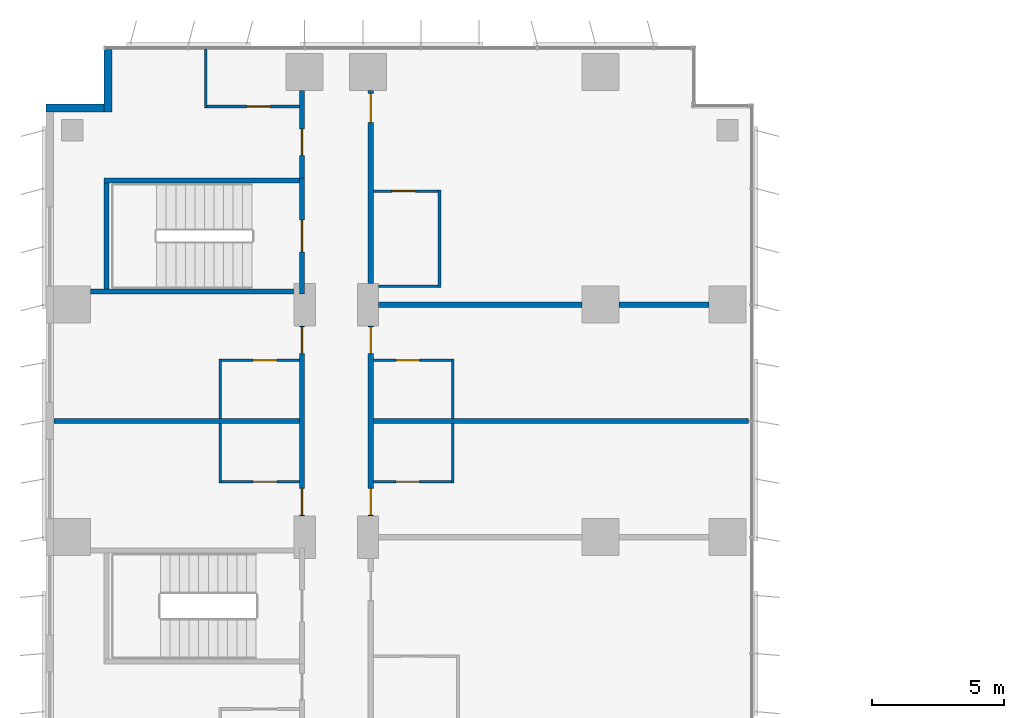
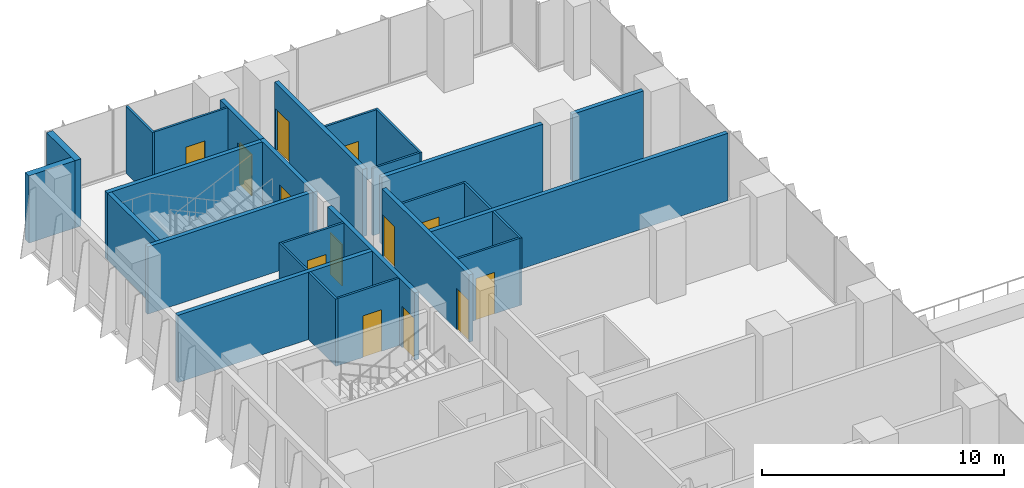
# One storey, part 17 of 23: 27 walls, 13 doors, 13 openings.
"""IFC4 building model written with IfcOpenShell, lengths in metres."""

import ifcopenshell
import ifcopenshell.guid

model = None  # the IFC model being written
_history = None  # IfcOwnerHistory: only IFC2X3 demands one
_inside = {}  # id of a spatial element -> (the spatial element, [elements in it])
_under = {}  # id of a project, library or spatial element -> (it, [spatial elements below it])
_declared = {}  # id of a project -> (the project, [libraries it declares])
_typed = {}  # id of a type object -> (the type object, [elements of that type])
_made_of = {}  # id of a material, layer set ... -> (it, [elements and type objects made of it])


def new_model(schema):
    """Start an empty IFC model of exactly this schema.

    Asked for "IFC4X3", IfcOpenShell would pick the latest addendum, in which some entities
    have other attributes; the version numbers below select the first issue.
    IFC2X3 requires an IfcOwnerHistory on every rooted entity: one is made here for all.
    """
    global model, _history
    if schema == "IFC4X3":
        model = ifcopenshell.file(schema_version=(4, 3, 0, 0))
    else:
        model = ifcopenshell.file(schema=schema)
    _inside.clear()
    _under.clear()
    _declared.clear()
    _typed.clear()
    _made_of.clear()
    _history = None
    if model.schema == "IFC2X3":
        org = make("IfcOrganization", Name="unknown")
        user = make(
            "IfcPersonAndOrganization",
            ThePerson=make("IfcPerson", FamilyName="unknown"),
            TheOrganization=org,
        )
        app = make(
            "IfcApplication",
            ApplicationDeveloper=org,
            Version="unknown",
            ApplicationFullName="unknown",
            ApplicationIdentifier="unknown",
        )
        _history = make(
            "IfcOwnerHistory",
            OwningUser=user,
            OwningApplication=app,
            ChangeAction="ADDED",
            CreationDate=0,
        )
    return model


def make(cls, **values):
    """One entity of the class cls with the attributes given. An attribute that is None is left unset."""
    return model.create_entity(
        cls, **{name: value for name, value in values.items() if value is not None}
    )


def rooted(cls, **values):
    """An entity with a GlobalId (a new one), such as an element, a storey or a relation."""
    return make(cls, GlobalId=ifcopenshell.guid.new(), OwnerHistory=_history, **values)


def si_unit(unit_type, name, prefix=None):
    """IfcSIUnit, for example si_unit("LENGTHUNIT", "METRE", prefix="MILLI")."""
    return make("IfcSIUnit", UnitType=unit_type, Prefix=prefix, Name=name)


def assignment(units):
    """IfcUnitAssignment: the units of a project."""
    return None if units is None else make("IfcUnitAssignment", Units=units)


def point(xyz):
    """IfcCartesianPoint."""
    return None if xyz is None else make("IfcCartesianPoint", Coordinates=xyz)


def direction(xyz):
    """IfcDirection."""
    return None if xyz is None else make("IfcDirection", DirectionRatios=xyz)


def frame(location, z_axis=None, x_axis=None):
    """IfcAxis2Placement3D, a coordinate frame: its origin and axes. An axis left out is left unset."""
    return make(
        "IfcAxis2Placement3D",
        Location=point(location),
        Axis=direction(z_axis),
        RefDirection=direction(x_axis),
    )


def frame_2d(location, x_axis=None):
    """IfcAxis2Placement2D, a coordinate frame in the plane: its origin and x axis."""
    return make(
        "IfcAxis2Placement2D", Location=point(location), RefDirection=direction(x_axis)
    )


def origin():
    """The frame at (0, 0, 0) with its axes left unset."""
    return frame((0.0, 0.0, 0.0))


def place(relative_to, where):
    """IfcLocalPlacement: puts the frame where relative to a parent placement (None: the world)."""
    return make(
        "IfcLocalPlacement", PlacementRelTo=relative_to, RelativePlacement=where
    )


def context(
    kind, dimensions, precision=None, world=None, true_north=None, identifier=None
):
    """IfcGeometricRepresentationContext, for example the 3D "Model" context."""
    return make(
        "IfcGeometricRepresentationContext",
        ContextIdentifier=identifier,
        ContextType=kind,
        CoordinateSpaceDimension=dimensions,
        Precision=precision,
        WorldCoordinateSystem=world,
        TrueNorth=true_north,
    )


def subcontext(parent, identifier, kind, view, scale=None):
    """IfcGeometricRepresentationSubContext, for example "Body" below "Model"."""
    return make(
        "IfcGeometricRepresentationSubContext",
        ContextIdentifier=identifier,
        ContextType=kind,
        ParentContext=parent,
        TargetScale=scale,
        TargetView=view,
    )


def project(units=None, contexts=None):
    """IfcProject with its units and contexts."""
    return rooted(
        "IfcProject",
        Name="project",
        RepresentationContexts=contexts,
        UnitsInContext=assignment(units),
    )


def spatial(cls, under=None, at=None, **own):
    """A site, building, storey or space (cls), placed at a placement, below another one or the project."""
    s = rooted(cls, ObjectPlacement=at, **own)
    if under is not None:
        _under.setdefault(under.id(), (under, []))[1].append(s)
    return s


def profile(cls, at=None, kind="AREA", **sizes):
    """A parametric profile (cls). Its sizes go by their IFC names, for example OverallWidth=200.0."""
    return make(cls, ProfileType=kind, Position=at, **sizes)


def rectangle(**sizes):
    """IfcRectangleProfileDef."""
    return profile("IfcRectangleProfileDef", **sizes)


def extrude(swept, where, along, depth):
    """IfcExtrudedAreaSolid: the profile swept, set in the frame where, extruded along a direction by depth."""
    return make(
        "IfcExtrudedAreaSolid",
        SweptArea=swept,
        Position=where,
        ExtrudedDirection=direction(along),
        Depth=depth,
    )


def shape(context_of_items, identifier, shape_type, items):
    """IfcShapeRepresentation: the items that make up one representation, for example the "Body"."""
    return make(
        "IfcShapeRepresentation",
        ContextOfItems=context_of_items,
        RepresentationIdentifier=identifier,
        RepresentationType=shape_type,
        Items=items,
    )


def material(Name=None, Category=None):
    """IfcMaterial."""
    return make("IfcMaterial", Name=Name, Category=Category)


def layer(
    of_material, thickness, ventilated=None, Name=None, Category=None, Priority=None
):
    """IfcMaterialLayer: one layer of a wall or slab, of a material (None: an air gap)."""
    return make(
        "IfcMaterialLayer",
        Material=of_material,
        LayerThickness=thickness,
        IsVentilated=ventilated,
        Name=Name,
        Category=Category,
        Priority=Priority,
    )


def layer_set(layers, Name=None):
    """IfcMaterialLayerSet."""
    return make("IfcMaterialLayerSet", MaterialLayers=layers, LayerSetName=Name)


def made_of(thing, what):
    """Note that an element or type object is made of a material, layer set ...; save() writes the relation."""
    if what is not None:
        _made_of.setdefault(what.id(), (what, []))[1].append(thing)
    return thing


def type_object(cls, material=None, **own):
    """A type object (cls), such as IfcWallType, which elements share."""
    return made_of(rooted(cls, **own), material)


def element(
    cls,
    number,
    at=None,
    inside=None,
    cuts=None,
    type_object=None,
    material=None,
    context=None,
    identifier="Body",
    shape_type=None,
    held_by="IfcProductDefinitionShape",
    body=None,
    shapes=None,
    **own,
):
    """One element of the class cls, such as IfcWall. Its Tag is "e" and its number.

    at: its placement. inside: the storey or other place that contains it. cuts: it is an
    opening in that element (IfcRelVoidsElement). A single representation is given by context,
    identifier, shape_type and body (its items); several are given by shapes. held_by: the class
    of the entity that holds the representations. save() writes the other relations.
    """
    e = rooted(cls, Tag="e%d" % number, ObjectPlacement=at, **own)
    if body is not None:
        shapes = [shape(context, identifier, shape_type, body)]
    if shapes is not None:
        e.Representation = make(held_by, Representations=shapes)
    if inside is not None:
        _inside.setdefault(inside.id(), (inside, []))[1].append(e)
    if cuts is not None:
        rooted(
            "IfcRelVoidsElement", RelatingBuildingElement=cuts, RelatedOpeningElement=e
        )
    if type_object is not None:
        _typed.setdefault(type_object.id(), (type_object, []))[1].append(e)
    return made_of(e, material)


def fill(opening, filler):
    """IfcRelFillsElement: the door or window that sits in an opening."""
    return rooted(
        "IfcRelFillsElement",
        RelatingOpeningElement=opening,
        RelatedBuildingElement=filler,
    )


def aggregate(whole, parts):
    """IfcRelAggregates: a whole, such as a stair, and the parts it consists of."""
    return rooted("IfcRelAggregates", RelatingObject=whole, RelatedObjects=parts)


def save(model, path):
    """Write the relations noted so far, then the file.

    IfcRelAggregates (storeys below a building ...), IfcRelContainedInSpatialStructure (elements
    in a storey), IfcRelDefinesByType, IfcRelAssociatesMaterial and IfcRelDeclares: one each for
    every whole, place, type object, material and project.
    """
    for whole, parts in _under.values():
        aggregate(whole, parts)
    for where, things in _inside.values():
        rooted(
            "IfcRelContainedInSpatialStructure",
            RelatedElements=things,
            RelatingStructure=where,
        )
    for kind, things in _typed.values():
        rooted("IfcRelDefinesByType", RelatedObjects=things, RelatingType=kind)
    for what, things in _made_of.values():
        rooted("IfcRelAssociatesMaterial", RelatedObjects=things, RelatingMaterial=what)
    for by, libraries in _declared.values():
        rooted("IfcRelDeclares", RelatingContext=by, RelatedDefinitions=libraries)
    model.write(path)


model = new_model("IFC4")

# Units and contexts
model_context = context("Model", 3, precision=1e-05, world=origin(), true_north=direction((0.0, 1.0)))
body_context = subcontext(model_context, "Body", "Model", "MODEL_VIEW")
ifc_project = project(units=[si_unit("LENGTHUNIT", "METRE"), si_unit("AREAUNIT", "SQUARE_METRE"), si_unit("VOLUMEUNIT", "CUBIC_METRE"), si_unit("PLANEANGLEUNIT", "RADIAN"), si_unit("MASSUNIT", "GRAM", prefix="KILO")], contexts=[model_context])

# Site, building, storey
site_placement = place(None, origin())
site = spatial("IfcSite", under=ifc_project, at=site_placement, CompositionType="ELEMENT")
building_placement = place(site_placement, origin())
building = spatial("IfcBuilding", under=site, at=building_placement, Name="Kemantara Hotel Tower", CompositionType="ELEMENT")
storey_placement = place(building_placement, frame((0.0, 0.0, 34.0)))
storey = spatial("IfcBuildingStorey", under=building, at=storey_placement, Name="L06", CompositionType="ELEMENT", Elevation=34.0)

# Walls
ifc_material_1 = material(Name="Bronze anodised aluminium cladding on insulated steel stud wall", Category="steel")
ifc_layer_1 = layer(ifc_material_1, 0.300048828125)
ifc_layer_set_1 = layer_set([ifc_layer_1], Name="Bronze anodised aluminium cladding on insulated steel stud wall")
wall_type_1 = type_object("IfcWallType", Name="BRONZE METAL-CLAD EXTERNAL WALL 300", PredefinedType="STANDARD", material=ifc_layer_set_1)
wall_1_placement = place(storey_placement, frame((2.35009765625, 81.050048828125, 0.0), z_axis=(0.0, 0.0, 1.0), x_axis=(0.0, -1.0, 0.0)))
element("IfcWall", 1, at=wall_1_placement, inside=storey, type_object=wall_type_1, Name="EXTERNAL WALL L06 T1-R12", PredefinedType="STANDARD", context=body_context, shape_type="SweptSolid", body=[
    extrude(rectangle(XDim=2.35009765625, YDim=0.300048828125, at=frame_2d((1.175048828125, 0.0))), origin(), (0.0, 0.0, 1.0), 3.39990234375),
])
wall_2_placement = place(storey_placement, frame((2.199951171875, 78.85009765625, 0.0), z_axis=(0.0, 0.0, 1.0), x_axis=(-1.0, 0.0, 0.0)))
element("IfcWall", 2, at=wall_2_placement, inside=storey, type_object=wall_type_1, Name="EXTERNAL WALL L06 T1-R13", PredefinedType="STANDARD", context=body_context, shape_type="SweptSolid", body=[
    extrude(rectangle(XDim=2.199951171875, YDim=0.300048828125, at=frame_2d((1.10009765625, 0.0))), origin(), (0.0, 0.0, 1.0), 3.39990234375),
])

# Wall, openings, doors
ifc_material_2 = material(Name="Gypsum board partition, steel studs and mineral wool, 200 mm", Category="steel")
ifc_layer_2 = layer(ifc_material_2, 0.199951171875)
ifc_layer_set_2 = layer_set([ifc_layer_2], Name="Gypsum board partition, steel studs and mineral wool, 200 mm")
wall_type_2 = type_object("IfcWallType", Name="CORRIDOR WALL 200", PredefinedType="PARTITIONING", material=ifc_layer_set_2)
wall_3_placement = place(storey_placement, frame((9.699951171875, 63.400146484375, 0.0), z_axis=(0.0, 0.0, 1.0), x_axis=(0.0, 1.0, 0.0)))
wall_3 = element("IfcWall", 3, at=wall_3_placement, inside=storey, type_object=wall_type_2, Name="CORRIDOR WALL 200 037", PredefinedType="PARTITIONING", context=body_context, shape_type="SweptSolid", body=[
    extrude(rectangle(XDim=7.19970703125, YDim=0.199951171875, at=frame_2d((3.599853515625, 0.0))), origin(), (0.0, 0.0, 1.0), 3.39990234375),
])
opening_1_placement = place(wall_3_placement, frame((0.0498046875, 0.0, 0.0)))
opening_1 = element("IfcOpeningElement", 4, at=opening_1_placement, cuts=wall_3, Name="Opening F01-051", PredefinedType="OPENING", context=body_context, shape_type="SweptSolid", body=[
    extrude(rectangle(XDim=1.0, YDim=2.10009765625, at=frame_2d((0.5, 1.050048828125))), frame((0.0, 0.10986328125, 0.0), z_axis=(0.0, -1.0, 0.0), x_axis=(1.0, 0.0, 0.0)), (0.0, 0.0, 1.0), 0.219970703125),
])
opening_2_placement = place(wall_3_placement, frame((6.14990234375, 0.0, 0.0)))
opening_2 = element("IfcOpeningElement", 5, at=opening_2_placement, cuts=wall_3, Name="Opening F01-053", PredefinedType="OPENING", context=body_context, shape_type="SweptSolid", body=[
    extrude(rectangle(XDim=1.0, YDim=2.10009765625, at=frame_2d((0.5, 1.050048828125))), frame((0.0, 0.10986328125, 0.0), z_axis=(0.0, -1.0, 0.0), x_axis=(1.0, 0.0, 0.0)), (0.0, 0.0, 1.0), 0.219970703125),
])
ifc_material_3 = material(Name="Hardwood veneer door leaf with steel frame", Category="steel")
door_type_1 = type_object("IfcDoorType", Name="GUEST ROOM DOOR 1000 X 2100 FD30S", OperationType="NOTDEFINED", PredefinedType="DOOR", material=ifc_material_3)
door_1_placement = place(opening_1_placement, origin())
door_1 = element("IfcDoor", 6, at=door_1_placement, inside=storey, type_object=door_type_1, Name="GUEST ROOM DOOR F01-051", OperationType="SINGLE_SWING_LEFT", OverallHeight=2.10009765625, OverallWidth=1.0, PredefinedType="DOOR", context=body_context, shape_type="SweptSolid", body=[
    extrude(rectangle(XDim=1.0, YDim=2.10009765625, at=frame_2d((0.5, 1.050048828125))), frame((0.0, 0.02490234375, 0.0), z_axis=(0.0, -1.0, 0.0), x_axis=(1.0, 0.0, 0.0)), (0.0, 0.0, 1.0), 0.050048828125),
])
fill(opening_1, door_1)
door_2_placement = place(opening_2_placement, origin())
door_2 = element("IfcDoor", 7, at=door_2_placement, inside=storey, type_object=door_type_1, Name="GUEST ROOM DOOR F01-053", OperationType="SINGLE_SWING_RIGHT", OverallHeight=2.10009765625, OverallWidth=1.0, PredefinedType="DOOR", context=body_context, shape_type="SweptSolid", body=[
    extrude(rectangle(XDim=1.0, YDim=2.10009765625, at=frame_2d((0.5, 1.050048828125))), frame((0.0, 0.02490234375, 0.0), z_axis=(0.0, -1.0, 0.0), x_axis=(1.0, 0.0, 0.0)), (0.0, 0.0, 1.0), 0.050048828125),
])
fill(opening_2, door_2)

# Wall, opening, door
wall_4_placement = place(storey_placement, frame((9.699951171875, 76.199951171875, 0.0), z_axis=(0.0, 0.0, 1.0), x_axis=(0.0, 1.0, 0.0)))
wall_4 = element("IfcWall", 8, at=wall_4_placement, inside=storey, type_object=wall_type_2, Name="CORRIDOR WALL 200 038", PredefinedType="PARTITIONING", context=body_context, shape_type="SweptSolid", body=[
    extrude(rectangle(XDim=3.300048828125, YDim=0.199951171875, at=frame_2d((1.64990234375, 0.0))), origin(), (0.0, 0.0, 1.0), 3.39990234375),
])
opening_3_placement = place(wall_4_placement, frame((0.85009765625, 0.0, 0.0)))
opening_3 = element("IfcOpeningElement", 9, at=opening_3_placement, cuts=wall_4, Name="Opening F01-055", PredefinedType="OPENING", context=body_context, shape_type="SweptSolid", body=[
    extrude(rectangle(XDim=1.0, YDim=2.10009765625, at=frame_2d((0.5, 1.050048828125))), frame((0.0, 0.10986328125, 0.0), z_axis=(0.0, -1.0, 0.0), x_axis=(1.0, 0.0, 0.0)), (0.0, 0.0, 1.0), 0.219970703125),
])
door_3_placement = place(opening_3_placement, origin())
door_3 = element("IfcDoor", 10, at=door_3_placement, inside=storey, type_object=door_type_1, Name="GUEST ROOM DOOR F01-055", OperationType="SINGLE_SWING_LEFT", OverallHeight=2.10009765625, OverallWidth=1.0, PredefinedType="DOOR", context=body_context, shape_type="SweptSolid", body=[
    extrude(rectangle(XDim=1.0, YDim=2.10009765625, at=frame_2d((0.5, 1.050048828125))), frame((0.0, 0.02490234375, 0.0), z_axis=(0.0, -1.0, 0.0), x_axis=(1.0, 0.0, 0.0)), (0.0, 0.0, 1.0), 0.050048828125),
])
fill(opening_3, door_3)

# Wall, openings, doors
wall_5_placement = place(storey_placement, frame((12.300048828125, 70.599853515625, 0.0), z_axis=(0.0, 0.0, 1.0), x_axis=(0.0, -1.0, 0.0)))
wall_5 = element("IfcWall", 11, at=wall_5_placement, inside=storey, type_object=wall_type_2, Name="CORRIDOR WALL 200 061", PredefinedType="PARTITIONING", context=body_context, shape_type="SweptSolid", body=[
    extrude(rectangle(XDim=7.19970703125, YDim=0.199951171875, at=frame_2d((3.599853515625, 0.0))), origin(), (0.0, 0.0, 1.0), 3.39990234375),
])
opening_4_placement = place(wall_5_placement, frame((6.14990234375, 0.0, 0.0)))
opening_4 = element("IfcOpeningElement", 12, at=opening_4_placement, cuts=wall_5, Name="Opening F01-071", PredefinedType="OPENING", context=body_context, shape_type="SweptSolid", body=[
    extrude(rectangle(XDim=1.0, YDim=2.10009765625, at=frame_2d((0.5, 1.050048828125))), frame((0.0, 0.10986328125, 0.0), z_axis=(0.0, -1.0, 0.0), x_axis=(1.0, 0.0, 0.0)), (0.0, 0.0, 1.0), 0.219970703125),
])
opening_5_placement = place(wall_5_placement, frame((0.0498046875, 0.0, 0.0)))
opening_5 = element("IfcOpeningElement", 13, at=opening_5_placement, cuts=wall_5, Name="Opening F01-073", PredefinedType="OPENING", context=body_context, shape_type="SweptSolid", body=[
    extrude(rectangle(XDim=1.0, YDim=2.10009765625, at=frame_2d((0.5, 1.050048828125))), frame((0.0, 0.10986328125, 0.0), z_axis=(0.0, -1.0, 0.0), x_axis=(1.0, 0.0, 0.0)), (0.0, 0.0, 1.0), 0.219970703125),
])
door_4_placement = place(opening_4_placement, origin())
door_4 = element("IfcDoor", 14, at=door_4_placement, inside=storey, type_object=door_type_1, Name="GUEST ROOM DOOR F01-071", OperationType="SINGLE_SWING_RIGHT", OverallHeight=2.10009765625, OverallWidth=1.0, PredefinedType="DOOR", context=body_context, shape_type="SweptSolid", body=[
    extrude(rectangle(XDim=1.0, YDim=2.10009765625, at=frame_2d((0.5, 1.050048828125))), frame((0.0, 0.02490234375, 0.0), z_axis=(0.0, -1.0, 0.0), x_axis=(1.0, 0.0, 0.0)), (0.0, 0.0, 1.0), 0.050048828125),
])
fill(opening_4, door_4)
door_5_placement = place(opening_5_placement, origin())
door_5 = element("IfcDoor", 15, at=door_5_placement, inside=storey, type_object=door_type_1, Name="GUEST ROOM DOOR F01-073", OperationType="SINGLE_SWING_LEFT", OverallHeight=2.10009765625, OverallWidth=1.0, PredefinedType="DOOR", context=body_context, shape_type="SweptSolid", body=[
    extrude(rectangle(XDim=1.0, YDim=2.10009765625, at=frame_2d((0.5, 1.050048828125))), frame((0.0, 0.02490234375, 0.0), z_axis=(0.0, -1.0, 0.0), x_axis=(1.0, 0.0, 0.0)), (0.0, 0.0, 1.0), 0.050048828125),
])
fill(opening_5, door_5)

# Wall, opening, door
wall_6_placement = place(storey_placement, frame((12.300048828125, 79.5, 0.0), z_axis=(0.0, 0.0, 1.0), x_axis=(0.0, -1.0, 0.0)))
wall_6 = element("IfcWall", 16, at=wall_6_placement, inside=storey, type_object=wall_type_2, Name="CORRIDOR WALL 200 062", PredefinedType="PARTITIONING", context=body_context, shape_type="SweptSolid", body=[
    extrude(rectangle(XDim=7.2998046875, YDim=0.199951171875, at=frame_2d((3.64990234375, 0.0))), origin(), (0.0, 0.0, 1.0), 3.39990234375),
])
opening_6_placement = place(wall_6_placement, frame((0.099853515625, 0.0, 0.0)))
opening_6 = element("IfcOpeningElement", 17, at=opening_6_placement, cuts=wall_6, Name="Opening F01-075", PredefinedType="OPENING", context=body_context, shape_type="SweptSolid", body=[
    extrude(rectangle(XDim=1.10009765625, YDim=2.10009765625, at=frame_2d((0.550048828125, 1.050048828125))), frame((0.0, 0.10986328125, 0.0), z_axis=(0.0, -1.0, 0.0), x_axis=(1.0, 0.0, 0.0)), (0.0, 0.0, 1.0), 0.219970703125),
])
door_type_2 = type_object("IfcDoorType", Name="SUITE ENTRANCE DOOR 1100 X 2100 FD30S", OperationType="NOTDEFINED", PredefinedType="DOOR", material=ifc_material_3)
door_6_placement = place(opening_6_placement, origin())
door_6 = element("IfcDoor", 18, at=door_6_placement, inside=storey, type_object=door_type_2, Name="SUITE ENTRANCE DOOR F01-075", OperationType="SINGLE_SWING_LEFT", OverallHeight=2.10009765625, OverallWidth=1.10009765625, PredefinedType="DOOR", context=body_context, shape_type="SweptSolid", body=[
    extrude(rectangle(XDim=1.10009765625, YDim=2.10009765625, at=frame_2d((0.550048828125, 1.050048828125))), frame((0.0, 0.02490234375, 0.0), z_axis=(0.0, -1.0, 0.0), x_axis=(1.0, 0.0, 0.0)), (0.0, 0.0, 1.0), 0.050048828125),
])
fill(opening_6, door_6)

ifc_material_4 = material(Name="Concrete fc 40 MPa", Category="concrete")
ifc_layer_3 = layer(ifc_material_4, 0.199951171875)
ifc_layer_set_3 = layer_set([ifc_layer_3], Name="Concrete fc 40 MPa")
wall_type_3 = type_object("IfcWallType", Name="Concrete stair wall 200 mm", PredefinedType="SHEAR", material=ifc_layer_set_3)
wall_7_placement = place(storey_placement, frame((9.699951171875, 71.800048828125, 0.0), z_axis=(0.0, 0.0, 1.0), x_axis=(0.0, 1.0, 0.0)))
wall_7 = element("IfcWall", 19, at=wall_7_placement, inside=storey, type_object=wall_type_3, Name="Stair ST6 enclosure wall with door", PredefinedType="SHEAR", context=body_context, shape_type="SweptSolid", body=[
    extrude(rectangle(XDim=4.39990234375, YDim=0.199951171875, at=frame_2d((2.199951171875, 0.0))), origin(), (0.0, 0.0, 1.0), 3.39990234375),
])
opening_7_placement = place(wall_7_placement, frame((1.60009765625, 0.0, 0.0)))
opening_7 = element("IfcOpeningElement", 20, at=opening_7_placement, cuts=wall_7, Name="Opening ST6-C", PredefinedType="OPENING", context=body_context, shape_type="SweptSolid", body=[
    extrude(rectangle(XDim=1.199951171875, YDim=2.10009765625, at=frame_2d((0.60009765625, 1.050048828125))), frame((0.0, 0.10986328125, 0.0), z_axis=(0.0, -1.0, 0.0), x_axis=(1.0, 0.0, 0.0)), (0.0, 0.0, 1.0), 0.219970703125),
])
ifc_material_5 = material(Name="Steel fire door", Category="steel")
door_type_3 = type_object("IfcDoorType", Name="Fire door FD90 1200 x 2100", OperationType="NOTDEFINED", PredefinedType="DOOR", material=ifc_material_5)
door_7_placement = place(opening_7_placement, origin())
door_7 = element("IfcDoor", 21, at=door_7_placement, inside=storey, type_object=door_type_3, Name="Stair ST6 door", OperationType="SINGLE_SWING_RIGHT", OverallHeight=2.10009765625, OverallWidth=1.199951171875, PredefinedType="DOOR", context=body_context, shape_type="SweptSolid", body=[
    extrude(rectangle(XDim=1.199951171875, YDim=2.10009765625, at=frame_2d((0.60009765625, 1.050048828125))), frame((0.0, 0.02490234375, 0.0), z_axis=(0.0, -1.0, 0.0), x_axis=(1.0, 0.0, 0.0)), (0.0, 0.0, 1.0), 0.050048828125),
])
fill(opening_7, door_7)

# Walls
wall_8_placement = place(storey_placement, frame((2.199951171875, 76.10009765625, 0.0), z_axis=(0.0, 0.0, 1.0), x_axis=(1.0, 0.0, 0.0)))
element("IfcWall", 22, at=wall_8_placement, inside=storey, type_object=wall_type_3, Name="Stair ST6 enclosure wall N", PredefinedType="SHEAR", context=body_context, shape_type="SweptSolid", body=[
    extrude(rectangle(XDim=7.400146484375, YDim=0.199951171875, at=frame_2d((3.7001953125, 0.0))), origin(), (0.0, 0.0, 1.0), 3.39990234375),
])
wall_9_placement = place(storey_placement, frame((1.699951171875, 71.89990234375, 0.0), z_axis=(0.0, 0.0, 1.0), x_axis=(1.0, 0.0, 0.0)))
element("IfcWall", 23, at=wall_9_placement, inside=storey, type_object=wall_type_3, Name="Stair ST6 enclosure wall S", PredefinedType="SHEAR", context=body_context, shape_type="SweptSolid", body=[
    extrude(rectangle(XDim=7.900146484375, YDim=0.199951171875, at=frame_2d((3.9501953125, 0.0))), origin(), (0.0, 0.0, 1.0), 3.39990234375),
])
wall_10_placement = place(storey_placement, frame((2.300048828125, 72.0, 0.0), z_axis=(0.0, 0.0, 1.0), x_axis=(0.0, 1.0, 0.0)))
element("IfcWall", 24, at=wall_10_placement, inside=storey, type_object=wall_type_3, Name="Stair ST6 enclosure wall W", PredefinedType="SHEAR", context=body_context, shape_type="SweptSolid", body=[
    extrude(rectangle(XDim=4.0, YDim=0.199951171875, at=frame_2d((2.0, 0.0))), origin(), (0.0, 0.0, 1.0), 3.39990234375),
])
ifc_layer_4 = layer(ifc_material_2, 0.199951171875)
ifc_layer_set_4 = layer_set([ifc_layer_4], Name="Gypsum board partition, steel studs and mineral wool, 200 mm")
wall_type_4 = type_object("IfcWallType", Name="GUEST ROOM PARTY WALL 200", PredefinedType="PARTITIONING", material=ifc_layer_set_4)
wall_11_placement = place(storey_placement, frame((0.31005859375, 67.0, 0.0), z_axis=(0.0, 0.0, 1.0), x_axis=(1.0, 0.0, 0.0)))
element("IfcWall", 25, at=wall_11_placement, inside=storey, type_object=wall_type_4, Name="GUEST ROOM PARTY WALL 200 054", PredefinedType="PARTITIONING", context=body_context, shape_type="SweptSolid", body=[
    extrude(rectangle(XDim=9.2900390625, YDim=0.199951171875, at=frame_2d((4.64501953125, 0.0))), origin(), (0.0, 0.0, 1.0), 3.39990234375),
])
wall_12_placement = place(storey_placement, frame((12.39990234375, 67.0, 0.0), z_axis=(0.0, 0.0, 1.0), x_axis=(1.0, 0.0, 0.0)))
element("IfcWall", 26, at=wall_12_placement, inside=storey, type_object=wall_type_4, Name="GUEST ROOM PARTY WALL 200 055", PredefinedType="PARTITIONING", context=body_context, shape_type="SweptSolid", body=[
    extrude(rectangle(XDim=14.199951171875, YDim=0.199951171875, at=frame_2d((7.10009765625, 0.0))), origin(), (0.0, 0.0, 1.0), 3.39990234375),
])
wall_13_placement = place(storey_placement, frame((12.60009765625, 71.39990234375, 0.0), z_axis=(0.0, 0.0, 1.0), x_axis=(1.0, 0.0, 0.0)))
element("IfcWall", 27, at=wall_13_placement, inside=storey, type_object=wall_type_4, Name="GUEST ROOM PARTY WALL 200 069", PredefinedType="PARTITIONING", context=body_context, shape_type="SweptSolid", body=[
    extrude(rectangle(XDim=7.69970703125, YDim=0.199951171875, at=frame_2d((3.849853515625, 0.0))), origin(), (0.0, 0.0, 1.0), 3.39990234375),
])
wall_14_placement = place(storey_placement, frame((21.7001953125, 71.39990234375, 0.0), z_axis=(0.0, 0.0, 1.0), x_axis=(1.0, 0.0, 0.0)))
element("IfcWall", 28, at=wall_14_placement, inside=storey, type_object=wall_type_4, Name="GUEST ROOM PARTY WALL 200 070", PredefinedType="PARTITIONING", context=body_context, shape_type="SweptSolid", body=[
    extrude(rectangle(XDim=3.399658203125, YDim=0.199951171875, at=frame_2d((1.69970703125, 0.0))), origin(), (0.0, 0.0, 1.0), 3.39990234375),
])
ifc_material_6 = material(Name="Gypsum board partition on steel studs, 100 mm", Category="steel")
ifc_layer_5 = layer(ifc_material_6, 0.10009765625)
ifc_layer_set_5 = layer_set([ifc_layer_5], Name="Gypsum board partition on steel studs, 100 mm")
wall_type_5 = type_object("IfcWallType", Name="ROOM PARTITION 100", PredefinedType="PARTITIONING", material=ifc_layer_set_5)
wall_15_placement = place(storey_placement, frame((6.050048828125, 78.85009765625, 0.0), z_axis=(0.0, 0.0, 1.0), x_axis=(0.0, 1.0, 0.0)))
element("IfcWall", 29, at=wall_15_placement, inside=storey, type_object=wall_type_5, Name="ROOM PARTITION 100 106", PredefinedType="PARTITIONING", context=body_context, shape_type="SweptSolid", body=[
    extrude(rectangle(XDim=2.219970703125, YDim=0.10009765625, at=frame_2d((1.10986328125, 0.0))), origin(), (0.0, 0.0, 1.0), 3.39990234375),
])
for number, where, z_axis, x_axis, name in (
    (30, (6.60009765625, 64.64990234375, 0.0), (0.0, 0.0, 1.0), (0.0, 1.0, 0.0), "ROOM PARTITION 100 119"),
    (31, (6.60009765625, 67.10009765625, 0.0), (0.0, 0.0, 1.0), (0.0, 1.0, 0.0), "ROOM PARTITION 100 120"),
):
    element("IfcWall", number, at=place(storey_placement, frame(where, z_axis=z_axis, x_axis=x_axis)), inside=storey, type_object=wall_type_5, Name=name, PredefinedType="PARTITIONING", context=body_context, shape_type="SweptSolid", body=[
        extrude(rectangle(XDim=2.25, YDim=0.10009765625, at=frame_2d((1.125, 0.0))), origin(), (0.0, 0.0, 1.0), 3.39990234375),
    ])

# Wall, opening, door
wall_16_placement = place(storey_placement, frame((6.64990234375, 64.699951171875, 0.0), z_axis=(0.0, 0.0, 1.0), x_axis=(1.0, 0.0, 0.0)))
wall_16 = element("IfcWall", 32, at=wall_16_placement, inside=storey, type_object=wall_type_5, Name="ROOM PARTITION 100 128", PredefinedType="PARTITIONING", context=body_context, shape_type="SweptSolid", body=[
    extrude(rectangle(XDim=2.9501953125, YDim=0.10009765625, at=frame_2d((1.47509765625, 0.0))), origin(), (0.0, 0.0, 1.0), 3.39990234375),
])
opening_8_placement = place(wall_16_placement, frame((1.199951171875, 0.0, 0.0)))
opening_8 = element("IfcOpeningElement", 33, at=opening_8_placement, cuts=wall_16, Name="Opening F01-052", PredefinedType="OPENING", context=body_context, shape_type="SweptSolid", body=[
    extrude(rectangle(XDim=0.89990234375, YDim=2.10009765625, at=frame_2d((0.449951171875, 1.050048828125))), frame((0.0, 0.06005859375, 0.0), z_axis=(0.0, -1.0, 0.0), x_axis=(1.0, 0.0, 0.0)), (0.0, 0.0, 1.0), 0.1201171875),
])
door_type_4 = type_object("IfcDoorType", Name="BATHROOM DOOR 900 X 2100", OperationType="NOTDEFINED", PredefinedType="DOOR", material=ifc_material_3)
door_8_placement = place(opening_8_placement, origin())
door_8 = element("IfcDoor", 34, at=door_8_placement, inside=storey, type_object=door_type_4, Name="BATHROOM DOOR F01-052", OperationType="SINGLE_SWING_RIGHT", OverallHeight=2.10009765625, OverallWidth=0.89990234375, PredefinedType="DOOR", context=body_context, shape_type="SweptSolid", body=[
    extrude(rectangle(XDim=0.89990234375, YDim=2.10009765625, at=frame_2d((0.449951171875, 1.050048828125))), frame((0.0, 0.02490234375, 0.0), z_axis=(0.0, -1.0, 0.0), x_axis=(1.0, 0.0, 0.0)), (0.0, 0.0, 1.0), 0.050048828125),
])
fill(opening_8, door_8)

wall_17_placement = place(storey_placement, frame((12.39990234375, 64.699951171875, 0.0), z_axis=(0.0, 0.0, 1.0), x_axis=(1.0, 0.0, 0.0)))
wall_17 = element("IfcWall", 35, at=wall_17_placement, inside=storey, type_object=wall_type_5, Name="ROOM PARTITION 100 129", PredefinedType="PARTITIONING", context=body_context, shape_type="SweptSolid", body=[
    extrude(rectangle(XDim=2.9501953125, YDim=0.10009765625, at=frame_2d((1.47509765625, 0.0))), origin(), (0.0, 0.0, 1.0), 3.39990234375),
])
opening_9_placement = place(wall_17_placement, frame((0.85009765625, 0.0, 0.0)))
opening_9 = element("IfcOpeningElement", 36, at=opening_9_placement, cuts=wall_17, Name="Opening F01-072", PredefinedType="OPENING", context=body_context, shape_type="SweptSolid", body=[
    extrude(rectangle(XDim=0.89990234375, YDim=2.10009765625, at=frame_2d((0.449951171875, 1.050048828125))), frame((0.0, 0.06005859375, 0.0), z_axis=(0.0, -1.0, 0.0), x_axis=(1.0, 0.0, 0.0)), (0.0, 0.0, 1.0), 0.1201171875),
])
door_9_placement = place(opening_9_placement, origin())
door_9 = element("IfcDoor", 37, at=door_9_placement, inside=storey, type_object=door_type_4, Name="BATHROOM DOOR F01-072", OperationType="SINGLE_SWING_LEFT", OverallHeight=2.10009765625, OverallWidth=0.89990234375, PredefinedType="DOOR", context=body_context, shape_type="SweptSolid", body=[
    extrude(rectangle(XDim=0.89990234375, YDim=2.10009765625, at=frame_2d((0.449951171875, 1.050048828125))), frame((0.0, 0.02490234375, 0.0), z_axis=(0.0, -1.0, 0.0), x_axis=(1.0, 0.0, 0.0)), (0.0, 0.0, 1.0), 0.050048828125),
])
fill(opening_9, door_9)

wall_18_placement = place(storey_placement, frame((9.60009765625, 69.300048828125, 0.0), z_axis=(0.0, 0.0, 1.0), x_axis=(-1.0, 0.0, 0.0)))
wall_18 = element("IfcWall", 38, at=wall_18_placement, inside=storey, type_object=wall_type_5, Name="ROOM PARTITION 100 130", PredefinedType="PARTITIONING", context=body_context, shape_type="SweptSolid", body=[
    extrude(rectangle(XDim=2.9501953125, YDim=0.10009765625, at=frame_2d((1.47509765625, 0.0))), origin(), (0.0, 0.0, 1.0), 3.39990234375),
])
opening_10_placement = place(wall_18_placement, frame((0.85009765625, 0.0, 0.0)))
opening_10 = element("IfcOpeningElement", 39, at=opening_10_placement, cuts=wall_18, Name="Opening F01-054", PredefinedType="OPENING", context=body_context, shape_type="SweptSolid", body=[
    extrude(rectangle(XDim=0.89990234375, YDim=2.10009765625, at=frame_2d((0.449951171875, 1.050048828125))), frame((0.0, 0.06005859375, 0.0), z_axis=(0.0, -1.0, 0.0), x_axis=(1.0, 0.0, 0.0)), (0.0, 0.0, 1.0), 0.1201171875),
])
door_10_placement = place(opening_10_placement, origin())
door_10 = element("IfcDoor", 40, at=door_10_placement, inside=storey, type_object=door_type_4, Name="BATHROOM DOOR F01-054", OperationType="SINGLE_SWING_LEFT", OverallHeight=2.10009765625, OverallWidth=0.89990234375, PredefinedType="DOOR", context=body_context, shape_type="SweptSolid", body=[
    extrude(rectangle(XDim=0.89990234375, YDim=2.10009765625, at=frame_2d((0.449951171875, 1.050048828125))), frame((0.0, 0.02490234375, 0.0), z_axis=(0.0, -1.0, 0.0), x_axis=(1.0, 0.0, 0.0)), (0.0, 0.0, 1.0), 0.050048828125),
])
fill(opening_10, door_10)

wall_19_placement = place(storey_placement, frame((15.35009765625, 69.300048828125, 0.0), z_axis=(0.0, 0.0, 1.0), x_axis=(-1.0, 0.0, 0.0)))
wall_19 = element("IfcWall", 41, at=wall_19_placement, inside=storey, type_object=wall_type_5, Name="ROOM PARTITION 100 131", PredefinedType="PARTITIONING", context=body_context, shape_type="SweptSolid", body=[
    extrude(rectangle(XDim=2.9501953125, YDim=0.10009765625, at=frame_2d((1.47509765625, 0.0))), origin(), (0.0, 0.0, 1.0), 3.39990234375),
])
opening_11_placement = place(wall_19_placement, frame((1.199951171875, 0.0, 0.0)))
opening_11 = element("IfcOpeningElement", 42, at=opening_11_placement, cuts=wall_19, Name="Opening F01-074", PredefinedType="OPENING", context=body_context, shape_type="SweptSolid", body=[
    extrude(rectangle(XDim=0.89990234375, YDim=2.10009765625, at=frame_2d((0.449951171875, 1.050048828125))), frame((0.0, 0.06005859375, 0.0), z_axis=(0.0, -1.0, 0.0), x_axis=(1.0, 0.0, 0.0)), (0.0, 0.0, 1.0), 0.1201171875),
])
door_11_placement = place(opening_11_placement, origin())
door_11 = element("IfcDoor", 43, at=door_11_placement, inside=storey, type_object=door_type_4, Name="BATHROOM DOOR F01-074", OperationType="SINGLE_SWING_RIGHT", OverallHeight=2.10009765625, OverallWidth=0.89990234375, PredefinedType="DOOR", context=body_context, shape_type="SweptSolid", body=[
    extrude(rectangle(XDim=0.89990234375, YDim=2.10009765625, at=frame_2d((0.449951171875, 1.050048828125))), frame((0.0, 0.02490234375, 0.0), z_axis=(0.0, -1.0, 0.0), x_axis=(1.0, 0.0, 0.0)), (0.0, 0.0, 1.0), 0.050048828125),
])
fill(opening_11, door_11)

wall_20_placement = place(storey_placement, frame((6.10009765625, 78.89990234375, 0.0), z_axis=(0.0, 0.0, 1.0), x_axis=(1.0, 0.0, 0.0)))
wall_20 = element("IfcWall", 44, at=wall_20_placement, inside=storey, type_object=wall_type_5, Name="ROOM PARTITION 100 132", PredefinedType="PARTITIONING", context=body_context, shape_type="SweptSolid", body=[
    extrude(rectangle(XDim=3.5, YDim=0.10009765625, at=frame_2d((1.75, 0.0))), origin(), (0.0, 0.0, 1.0), 3.39990234375),
])
opening_12_placement = place(wall_20_placement, frame((1.5, 0.0, 0.0)))
opening_12 = element("IfcOpeningElement", 45, at=opening_12_placement, cuts=wall_20, Name="Opening F01-056", PredefinedType="OPENING", context=body_context, shape_type="SweptSolid", body=[
    extrude(rectangle(XDim=0.89990234375, YDim=2.10009765625, at=frame_2d((0.449951171875, 1.050048828125))), frame((0.0, 0.06005859375, 0.0), z_axis=(0.0, -1.0, 0.0), x_axis=(1.0, 0.0, 0.0)), (0.0, 0.0, 1.0), 0.1201171875),
])
door_12_placement = place(opening_12_placement, origin())
door_12 = element("IfcDoor", 46, at=door_12_placement, inside=storey, type_object=door_type_4, Name="BATHROOM DOOR F01-056", OperationType="SINGLE_SWING_RIGHT", OverallHeight=2.10009765625, OverallWidth=0.89990234375, PredefinedType="DOOR", context=body_context, shape_type="SweptSolid", body=[
    extrude(rectangle(XDim=0.89990234375, YDim=2.10009765625, at=frame_2d((0.449951171875, 1.050048828125))), frame((0.0, 0.02490234375, 0.0), z_axis=(0.0, -1.0, 0.0), x_axis=(1.0, 0.0, 0.0)), (0.0, 0.0, 1.0), 0.050048828125),
])
fill(opening_12, door_12)

# Walls
for number, where, z_axis, x_axis, name in (
    (47, (15.39990234375, 64.64990234375, 0.0), (0.0, 0.0, 1.0), (0.0, 1.0, 0.0), "ROOM PARTITION 100 141"),
    (48, (15.39990234375, 67.10009765625, 0.0), (0.0, 0.0, 1.0), (0.0, 1.0, 0.0), "ROOM PARTITION 100 142"),
):
    element("IfcWall", number, at=place(storey_placement, frame(where, z_axis=z_axis, x_axis=x_axis)), inside=storey, type_object=wall_type_5, Name=name, PredefinedType="PARTITIONING", context=body_context, shape_type="SweptSolid", body=[
        extrude(rectangle(XDim=2.25, YDim=0.10009765625, at=frame_2d((1.125, 0.0))), origin(), (0.0, 0.0, 1.0), 3.39990234375),
    ])
wall_21_placement = place(storey_placement, frame((14.89990234375, 72.050048828125, 0.0), z_axis=(0.0, 0.0, 1.0), x_axis=(0.0, 1.0, 0.0)))
element("IfcWall", 49, at=wall_21_placement, inside=storey, type_object=wall_type_5, Name="ROOM PARTITION 100 148", PredefinedType="PARTITIONING", context=body_context, shape_type="SweptSolid", body=[
    extrude(rectangle(XDim=3.699951171875, YDim=0.10009765625, at=frame_2d((1.85009765625, 0.0))), origin(), (0.0, 0.0, 1.0), 3.39990234375),
])
wall_22_placement = place(storey_placement, frame((12.60009765625, 72.10009765625, 0.0), z_axis=(0.0, 0.0, 1.0), x_axis=(1.0, 0.0, 0.0)))
element("IfcWall", 50, at=wall_22_placement, inside=storey, type_object=wall_type_5, Name="ROOM PARTITION 100 149", PredefinedType="PARTITIONING", context=body_context, shape_type="SweptSolid", body=[
    extrude(rectangle(XDim=2.25, YDim=0.10009765625, at=frame_2d((1.125, 0.0))), origin(), (0.0, 0.0, 1.0), 3.39990234375),
])

# Wall, opening, door
wall_23_placement = place(storey_placement, frame((14.85009765625, 75.699951171875, 0.0), z_axis=(0.0, 0.0, 1.0), x_axis=(-1.0, 0.0, 0.0)))
wall_23 = element("IfcWall", 51, at=wall_23_placement, inside=storey, type_object=wall_type_5, Name="ROOM PARTITION 100 150", PredefinedType="PARTITIONING", context=body_context, shape_type="SweptSolid", body=[
    extrude(rectangle(XDim=2.4501953125, YDim=0.10009765625, at=frame_2d((1.22509765625, 0.0))), origin(), (0.0, 0.0, 1.0), 3.39990234375),
])
opening_13_placement = place(wall_23_placement, frame((0.85009765625, 0.0, 0.0)))
opening_13 = element("IfcOpeningElement", 52, at=opening_13_placement, cuts=wall_23, Name="Opening F01-076", PredefinedType="OPENING", context=body_context, shape_type="SweptSolid", body=[
    extrude(rectangle(XDim=0.89990234375, YDim=2.10009765625, at=frame_2d((0.449951171875, 1.050048828125))), frame((0.0, 0.06005859375, 0.0), z_axis=(0.0, -1.0, 0.0), x_axis=(1.0, 0.0, 0.0)), (0.0, 0.0, 1.0), 0.1201171875),
])
door_13_placement = place(opening_13_placement, origin())
door_13 = element("IfcDoor", 53, at=door_13_placement, inside=storey, type_object=door_type_4, Name="BATHROOM DOOR F01-076", OperationType="SINGLE_SWING_RIGHT", OverallHeight=2.10009765625, OverallWidth=0.89990234375, PredefinedType="DOOR", context=body_context, shape_type="SweptSolid", body=[
    extrude(rectangle(XDim=0.89990234375, YDim=2.10009765625, at=frame_2d((0.449951171875, 1.050048828125))), frame((0.0, 0.02490234375, 0.0), z_axis=(0.0, -1.0, 0.0), x_axis=(1.0, 0.0, 0.0)), (0.0, 0.0, 1.0), 0.050048828125),
])
fill(opening_13, door_13)

save(model, "model.ifc")
